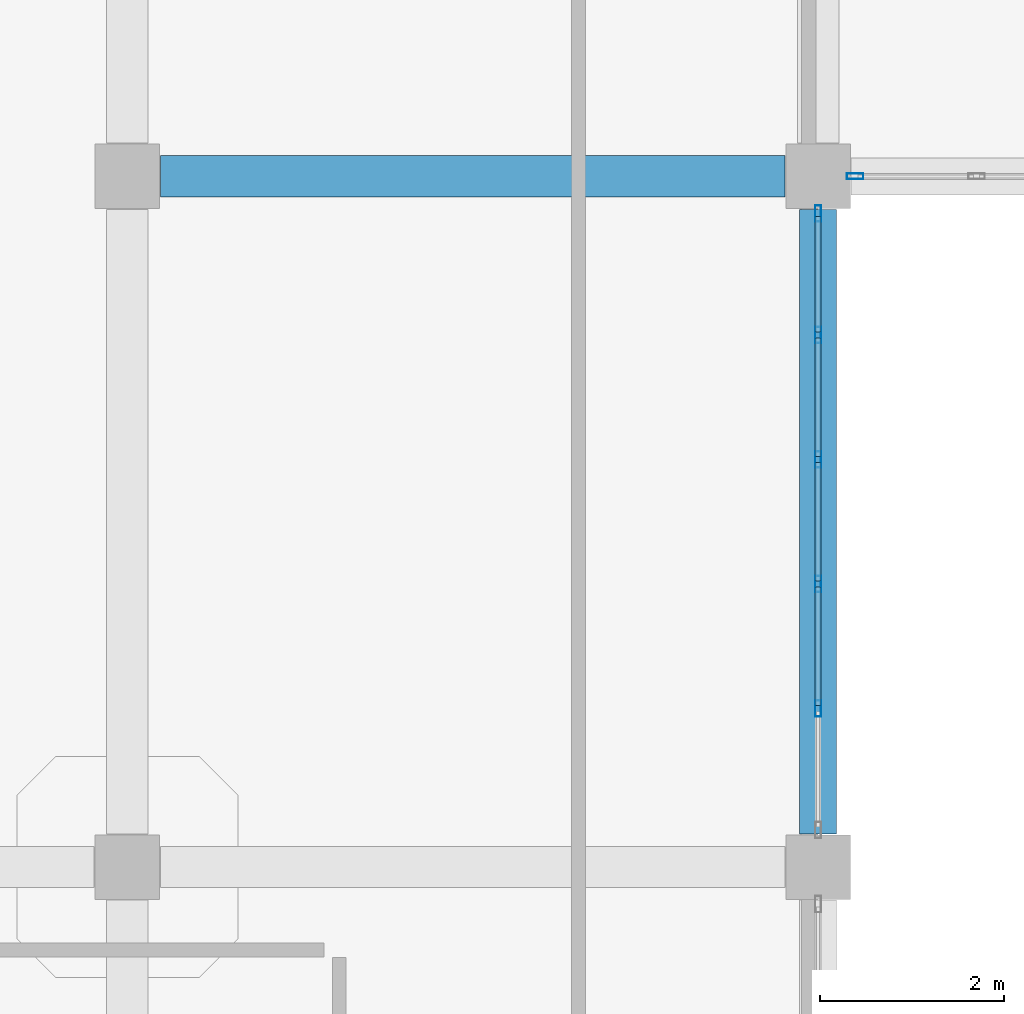
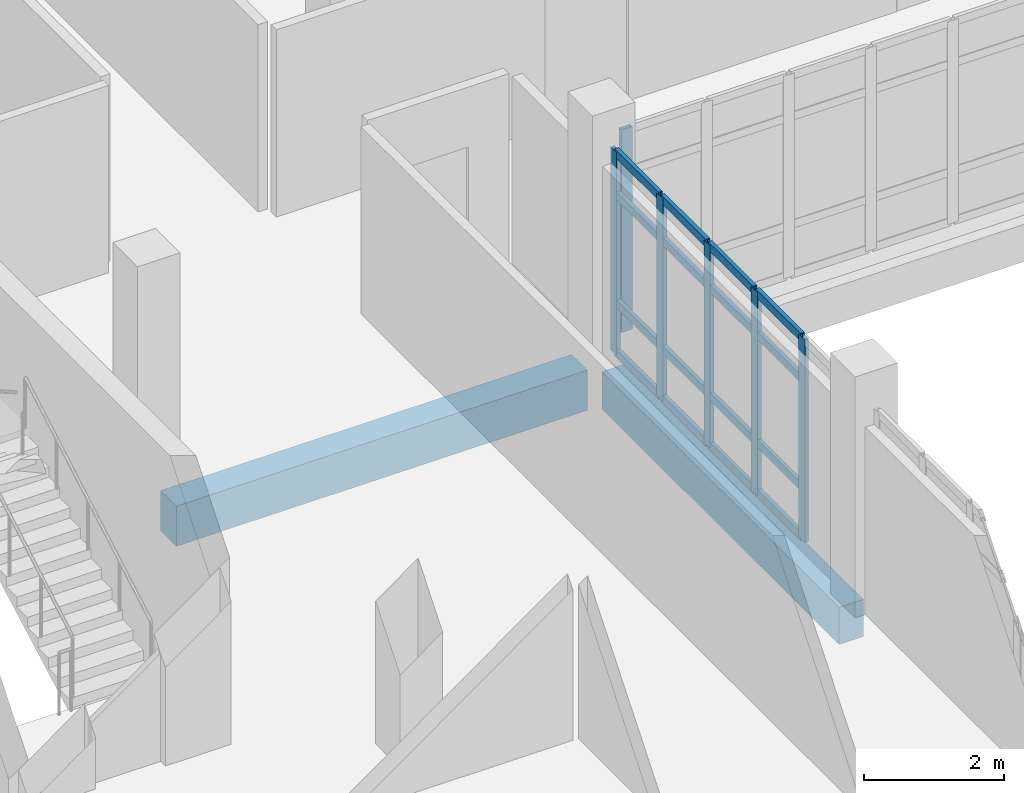
# One storey, part 25 of 164: 22 members, 2 beams, 2 elements without a shape of their own.
"""IFC4 building model written with IfcOpenShell, lengths in metres."""

from ifc_helpers import new_model, si_unit, direction, frame, origin, origin_2d, place, context, subcontext, project, spatial, rectangle, hollow_rectangle, extrude, material, layer, layer_set, material_profile, profile_set, type_object, element, aggregate, save


model = new_model("IFC4")

# Units and contexts
model_context = context("Model", 3, precision=1e-05, world=origin(), true_north=direction((0.0, 1.0)))
body_context = subcontext(model_context, "Body", "Model", "MODEL_VIEW")
ifc_project = project(units=[si_unit("LENGTHUNIT", "METRE"), si_unit("AREAUNIT", "SQUARE_METRE"), si_unit("VOLUMEUNIT", "CUBIC_METRE"), si_unit("PLANEANGLEUNIT", "RADIAN"), si_unit("MASSUNIT", "GRAM", prefix="KILO")], contexts=[model_context])

# Site, building, storey
site_placement = place(None, origin())
site = spatial("IfcSite", under=ifc_project, at=site_placement, CompositionType="ELEMENT")
building_placement = place(site_placement, origin())
building = spatial("IfcBuilding", under=site, at=building_placement, Name="Mawjan Specialist Oncology Clinic", CompositionType="ELEMENT")
storey_placement = place(building_placement, frame((0.0, 0.0, 5.0)))
storey = spatial("IfcBuildingStorey", under=building, at=storey_placement, Name="L01", CompositionType="ELEMENT", Elevation=5.0)

# Beam
ifc_material_1 = material(Name="Concrete C40/50", Category="concrete")
ifc_material_profile_1 = material_profile(ifc_material_1, rectangle(XDim=0.449951171875, YDim=0.699951171875, at=origin_2d()), Name="RC BM 450x700", Category="concrete")
ifc_profile_set_1 = profile_set([ifc_material_profile_1], Name="Concrete C40/50")
beam_type_1 = type_object("IfcBeamType", Name="BM-450x700", PredefinedType="BEAM", material=ifc_profile_set_1)
beam_1_placement = place(storey_placement, frame((7.860107421875, 30.800048828125, -0.64990234375), z_axis=(1.0, 0.0, 0.0), x_axis=(0.0, 1.0, 0.0)))
element("IfcBeam", 1, at=beam_1_placement, inside=storey, type_object=beam_type_1, Name="L01 Collector Beam BM-L01-0245", PredefinedType="BEAM", context=body_context, shape_type="SweptSolid", body=[
    extrude(rectangle(XDim=0.449951171875, YDim=0.699951171875, at=origin_2d()), origin(), (0.0, 0.0, 1.0), 6.77978515625),
])

# Curtain wall, member
ifc_material_2 = material(Name="Unitised spectrally selective aluminium curtain wall", Category="aluminium")
ifc_layer = layer(ifc_material_2, 0.179931640625, Name="Unitised spectrally selective aluminium curtain wall", Category="aluminium")
ifc_layer_set = layer_set([ifc_layer], Name="Unitised spectrally selective aluminium curtain wall")
curtain_wall_type = type_object("IfcCurtainWallType", Name="CW-73", PredefinedType="NOTDEFINED", material=ifc_layer_set)
curtain_wall_1_placement = place(storey_placement, origin())
curtain_wall_1 = element("IfcCurtainWall", 2, at=curtain_wall_1_placement, inside=storey, type_object=curtain_wall_type, Name="L01 Unitised Curtain Wall CW-L01-162", PredefinedType="NOTDEFINED")
ifc_material_3 = material(Name="Thermally broken aluminium 6063-T6", Category="aluminium")
ifc_material_profile_2 = material_profile(ifc_material_3, hollow_rectangle(XDim=0.06494140625, YDim=0.179931640625, WallThickness=0.00390625, at=origin_2d()), Name="ALU MULLION 180x65x4", Category="aluminium")
ifc_profile_set_2 = profile_set([ifc_material_profile_2], Name="Thermally broken aluminium 6063-T6")
member_type_1 = type_object("IfcMemberType", Name="CW-M180", PredefinedType="MULLION", material=ifc_profile_set_2)
member_1_placement = place(storey_placement, frame((15.402587890625, 30.800048828125, 0.0), z_axis=(0.0, 0.0, 1.0), x_axis=(0.0, -1.0, 0.0)))
member_1 = element("IfcMember", 3, at=member_1_placement, type_object=member_type_1, Name="CW-73 mullion 6", PredefinedType="MULLION", context=body_context, shape_type="SweptSolid", body=[
    extrude(hollow_rectangle(XDim=0.06494140625, YDim=0.179931640625, WallThickness=0.00390625, at=origin_2d()), origin(), (0.0, 0.0, 1.0), 3.534912109375),
])
aggregate(curtain_wall_1, [member_1])

# Curtain wall, members
curtain_wall_2_placement = place(storey_placement, origin())
curtain_wall_2 = element("IfcCurtainWall", 4, at=curtain_wall_2_placement, inside=storey, type_object=curtain_wall_type, Name="L01 Unitised Curtain Wall CW-L01-163", PredefinedType="NOTDEFINED")
member_2_placement = place(storey_placement, frame((15.0, 30.3974609375, 0.0), z_axis=(0.0, 0.0, 1.0), x_axis=(1.0, 0.0, 0.0)))
member_2 = element("IfcMember", 5, at=member_2_placement, type_object=member_type_1, Name="CW-73 mullion 1", PredefinedType="MULLION", context=body_context, shape_type="SweptSolid", body=[
    extrude(hollow_rectangle(XDim=0.06494140625, YDim=0.179931640625, WallThickness=0.00390625, at=origin_2d()), origin(), (0.0, 0.0, 1.0), 3.534912109375),
])
member_3_placement = place(storey_placement, frame((15.0, 29.077880859375, 0.0), z_axis=(0.0, 0.0, 1.0), x_axis=(1.0, 0.0, 0.0)))
member_3 = element("IfcMember", 6, at=member_3_placement, type_object=member_type_1, Name="CW-73 mullion 2", PredefinedType="MULLION", context=body_context, shape_type="SweptSolid", body=[
    extrude(hollow_rectangle(XDim=0.06494140625, YDim=0.179931640625, WallThickness=0.00390625, at=origin_2d()), origin(), (0.0, 0.0, 1.0), 3.534912109375),
])
member_4_placement = place(storey_placement, frame((15.0, 27.72607421875, 0.0), z_axis=(0.0, 0.0, 1.0), x_axis=(1.0, 0.0, 0.0)))
member_4 = element("IfcMember", 7, at=member_4_placement, type_object=member_type_1, Name="CW-73 mullion 3", PredefinedType="MULLION", context=body_context, shape_type="SweptSolid", body=[
    extrude(hollow_rectangle(XDim=0.06494140625, YDim=0.179931640625, WallThickness=0.00390625, at=origin_2d()), origin(), (0.0, 0.0, 1.0), 3.534912109375),
])
member_5_placement = place(storey_placement, frame((15.0, 26.3740234375, 0.0), z_axis=(0.0, 0.0, 1.0), x_axis=(1.0, 0.0, 0.0)))
member_5 = element("IfcMember", 8, at=member_5_placement, type_object=member_type_1, Name="CW-73 mullion 4", PredefinedType="MULLION", context=body_context, shape_type="SweptSolid", body=[
    extrude(hollow_rectangle(XDim=0.06494140625, YDim=0.179931640625, WallThickness=0.00390625, at=origin_2d()), origin(), (0.0, 0.0, 1.0), 3.534912109375),
])
member_6_placement = place(storey_placement, frame((15.0, 25.02197265625, 0.0), z_axis=(0.0, 0.0, 1.0), x_axis=(1.0, 0.0, 0.0)))
member_6 = element("IfcMember", 9, at=member_6_placement, type_object=member_type_1, Name="CW-73 mullion 5", PredefinedType="MULLION", context=body_context, shape_type="SweptSolid", body=[
    extrude(hollow_rectangle(XDim=0.06494140625, YDim=0.179931640625, WallThickness=0.00390625, at=origin_2d()), origin(), (0.0, 0.0, 1.0), 3.534912109375),
])
ifc_material_4 = material(Name="Thermally broken aluminium 6063-T6", Category="aluminium")
ifc_material_profile_3 = material_profile(ifc_material_4, hollow_rectangle(XDim=0.06494140625, YDim=0.139892578125, WallThickness=0.00390625, at=origin_2d()), Name="ALU TRANSOM 140x65x4", Category="aluminium")
ifc_profile_set_3 = profile_set([ifc_material_profile_3], Name="Thermally broken aluminium 6063-T6")
member_type_2 = type_object("IfcMemberType", Name="CW-T140", PredefinedType="USERDEFINED", material=ifc_profile_set_3)
member_7_placement = place(storey_placement, frame((15.0, 30.364990234375, 0.032470703125), z_axis=(0.0, -1.0, 0.0), x_axis=(1.0, 0.0, 0.0)))
member_7 = element("IfcMember", 10, at=member_7_placement, type_object=member_type_2, Name="CW-73 transom 1.1", ObjectType="TRANSOM", PredefinedType="USERDEFINED", context=body_context, shape_type="SweptSolid", body=[
    extrude(hollow_rectangle(XDim=0.06494140625, YDim=0.139892578125, WallThickness=0.00390625, at=origin_2d()), origin(), (0.0, 0.0, 1.0), 1.25439453125),
])
member_8_placement = place(storey_placement, frame((15.0, 30.364990234375, 0.89990234375), z_axis=(0.0, -1.0, 0.0), x_axis=(1.0, 0.0, 0.0)))
member_8 = element("IfcMember", 11, at=member_8_placement, type_object=member_type_2, Name="CW-73 transom 1.2", ObjectType="TRANSOM", PredefinedType="USERDEFINED", context=body_context, shape_type="SweptSolid", body=[
    extrude(hollow_rectangle(XDim=0.06494140625, YDim=0.139892578125, WallThickness=0.00390625, at=origin_2d()), origin(), (0.0, 0.0, 1.0), 1.25439453125),
])
member_9_placement = place(storey_placement, frame((15.0, 30.364990234375, 2.784912109375), z_axis=(0.0, -1.0, 0.0), x_axis=(1.0, 0.0, 0.0)))
member_9 = element("IfcMember", 12, at=member_9_placement, type_object=member_type_2, Name="CW-73 transom 1.3", ObjectType="TRANSOM", PredefinedType="USERDEFINED", context=body_context, shape_type="SweptSolid", body=[
    extrude(hollow_rectangle(XDim=0.06494140625, YDim=0.139892578125, WallThickness=0.00390625, at=origin_2d()), origin(), (0.0, 0.0, 1.0), 1.25439453125),
])
member_10_placement = place(storey_placement, frame((15.0, 30.364990234375, 3.50244140625), z_axis=(0.0, -1.0, 0.0), x_axis=(1.0, 0.0, 0.0)))
member_10 = element("IfcMember", 13, at=member_10_placement, type_object=member_type_2, Name="CW-73 transom 1.4", ObjectType="TRANSOM", PredefinedType="USERDEFINED", context=body_context, shape_type="SweptSolid", body=[
    extrude(hollow_rectangle(XDim=0.06494140625, YDim=0.139892578125, WallThickness=0.00390625, at=origin_2d()), origin(), (0.0, 0.0, 1.0), 1.25439453125),
])
member_11_placement = place(storey_placement, frame((15.0, 29.04541015625, 0.032470703125), z_axis=(0.0, -1.0, 0.0), x_axis=(1.0, 0.0, 0.0)))
member_11 = element("IfcMember", 14, at=member_11_placement, type_object=member_type_2, Name="CW-73 transom 2.1", ObjectType="TRANSOM", PredefinedType="USERDEFINED", context=body_context, shape_type="SweptSolid", body=[
    extrude(hollow_rectangle(XDim=0.06494140625, YDim=0.139892578125, WallThickness=0.00390625, at=origin_2d()), origin(), (0.0, 0.0, 1.0), 1.286865234375),
])
member_12_placement = place(storey_placement, frame((15.0, 29.04541015625, 0.89990234375), z_axis=(0.0, -1.0, 0.0), x_axis=(1.0, 0.0, 0.0)))
member_12 = element("IfcMember", 15, at=member_12_placement, type_object=member_type_2, Name="CW-73 transom 2.2", ObjectType="TRANSOM", PredefinedType="USERDEFINED", context=body_context, shape_type="SweptSolid", body=[
    extrude(hollow_rectangle(XDim=0.06494140625, YDim=0.139892578125, WallThickness=0.00390625, at=origin_2d()), origin(), (0.0, 0.0, 1.0), 1.286865234375),
])
member_13_placement = place(storey_placement, frame((15.0, 29.04541015625, 2.784912109375), z_axis=(0.0, -1.0, 0.0), x_axis=(1.0, 0.0, 0.0)))
member_13 = element("IfcMember", 16, at=member_13_placement, type_object=member_type_2, Name="CW-73 transom 2.3", ObjectType="TRANSOM", PredefinedType="USERDEFINED", context=body_context, shape_type="SweptSolid", body=[
    extrude(hollow_rectangle(XDim=0.06494140625, YDim=0.139892578125, WallThickness=0.00390625, at=origin_2d()), origin(), (0.0, 0.0, 1.0), 1.286865234375),
])
member_14_placement = place(storey_placement, frame((15.0, 29.04541015625, 3.50244140625), z_axis=(0.0, -1.0, 0.0), x_axis=(1.0, 0.0, 0.0)))
member_14 = element("IfcMember", 17, at=member_14_placement, type_object=member_type_2, Name="CW-73 transom 2.4", ObjectType="TRANSOM", PredefinedType="USERDEFINED", context=body_context, shape_type="SweptSolid", body=[
    extrude(hollow_rectangle(XDim=0.06494140625, YDim=0.139892578125, WallThickness=0.00390625, at=origin_2d()), origin(), (0.0, 0.0, 1.0), 1.286865234375),
])
member_15_placement = place(storey_placement, frame((15.0, 27.693603515625, 0.032470703125), z_axis=(0.0, -1.0, 0.0), x_axis=(1.0, 0.0, 0.0)))
member_15 = element("IfcMember", 18, at=member_15_placement, type_object=member_type_2, Name="CW-73 transom 3.1", ObjectType="TRANSOM", PredefinedType="USERDEFINED", context=body_context, shape_type="SweptSolid", body=[
    extrude(hollow_rectangle(XDim=0.06494140625, YDim=0.139892578125, WallThickness=0.00390625, at=origin_2d()), origin(), (0.0, 0.0, 1.0), 1.287109375),
])
member_16_placement = place(storey_placement, frame((15.0, 27.693603515625, 0.89990234375), z_axis=(0.0, -1.0, 0.0), x_axis=(1.0, 0.0, 0.0)))
member_16 = element("IfcMember", 19, at=member_16_placement, type_object=member_type_2, Name="CW-73 transom 3.2", ObjectType="TRANSOM", PredefinedType="USERDEFINED", context=body_context, shape_type="SweptSolid", body=[
    extrude(hollow_rectangle(XDim=0.06494140625, YDim=0.139892578125, WallThickness=0.00390625, at=origin_2d()), origin(), (0.0, 0.0, 1.0), 1.287109375),
])
member_17_placement = place(storey_placement, frame((15.0, 27.693603515625, 2.784912109375), z_axis=(0.0, -1.0, 0.0), x_axis=(1.0, 0.0, 0.0)))
member_17 = element("IfcMember", 20, at=member_17_placement, type_object=member_type_2, Name="CW-73 transom 3.3", ObjectType="TRANSOM", PredefinedType="USERDEFINED", context=body_context, shape_type="SweptSolid", body=[
    extrude(hollow_rectangle(XDim=0.06494140625, YDim=0.139892578125, WallThickness=0.00390625, at=origin_2d()), origin(), (0.0, 0.0, 1.0), 1.287109375),
])
member_18_placement = place(storey_placement, frame((15.0, 27.693603515625, 3.50244140625), z_axis=(0.0, -1.0, 0.0), x_axis=(1.0, 0.0, 0.0)))
member_18 = element("IfcMember", 21, at=member_18_placement, type_object=member_type_2, Name="CW-73 transom 3.4", ObjectType="TRANSOM", PredefinedType="USERDEFINED", context=body_context, shape_type="SweptSolid", body=[
    extrude(hollow_rectangle(XDim=0.06494140625, YDim=0.139892578125, WallThickness=0.00390625, at=origin_2d()), origin(), (0.0, 0.0, 1.0), 1.287109375),
])
member_19_placement = place(storey_placement, frame((15.0, 26.341552734375, 0.032470703125), z_axis=(0.0, -1.0, 0.0), x_axis=(1.0, 0.0, 0.0)))
member_19 = element("IfcMember", 22, at=member_19_placement, type_object=member_type_2, Name="CW-73 transom 4.1", ObjectType="TRANSOM", PredefinedType="USERDEFINED", context=body_context, shape_type="SweptSolid", body=[
    extrude(hollow_rectangle(XDim=0.06494140625, YDim=0.139892578125, WallThickness=0.00390625, at=origin_2d()), origin(), (0.0, 0.0, 1.0), 1.287109375),
])
member_20_placement = place(storey_placement, frame((15.0, 26.341552734375, 0.89990234375), z_axis=(0.0, -1.0, 0.0), x_axis=(1.0, 0.0, 0.0)))
member_20 = element("IfcMember", 23, at=member_20_placement, type_object=member_type_2, Name="CW-73 transom 4.2", ObjectType="TRANSOM", PredefinedType="USERDEFINED", context=body_context, shape_type="SweptSolid", body=[
    extrude(hollow_rectangle(XDim=0.06494140625, YDim=0.139892578125, WallThickness=0.00390625, at=origin_2d()), origin(), (0.0, 0.0, 1.0), 1.287109375),
])
member_21_placement = place(storey_placement, frame((15.0, 26.341552734375, 2.784912109375), z_axis=(0.0, -1.0, 0.0), x_axis=(1.0, 0.0, 0.0)))
member_21 = element("IfcMember", 24, at=member_21_placement, type_object=member_type_2, Name="CW-73 transom 4.3", ObjectType="TRANSOM", PredefinedType="USERDEFINED", context=body_context, shape_type="SweptSolid", body=[
    extrude(hollow_rectangle(XDim=0.06494140625, YDim=0.139892578125, WallThickness=0.00390625, at=origin_2d()), origin(), (0.0, 0.0, 1.0), 1.287109375),
])
member_22_placement = place(storey_placement, frame((15.0, 26.341552734375, 3.50244140625), z_axis=(0.0, -1.0, 0.0), x_axis=(1.0, 0.0, 0.0)))
member_22 = element("IfcMember", 25, at=member_22_placement, type_object=member_type_2, Name="CW-73 transom 4.4", ObjectType="TRANSOM", PredefinedType="USERDEFINED", context=body_context, shape_type="SweptSolid", body=[
    extrude(hollow_rectangle(XDim=0.06494140625, YDim=0.139892578125, WallThickness=0.00390625, at=origin_2d()), origin(), (0.0, 0.0, 1.0), 1.287109375),
])
aggregate(curtain_wall_2, [member_2, member_3, member_4, member_5, member_6, member_7, member_8, member_9, member_10, member_11, member_12, member_13, member_14, member_15, member_16, member_17, member_18, member_19, member_20, member_21, member_22])

# Beam
ifc_material_5 = material(Name="Concrete C45/55", Category="concrete")
ifc_material_profile_4 = material_profile(ifc_material_5, rectangle(XDim=0.39990234375, YDim=0.64990234375, at=origin_2d()), Name="RC BM 400x650", Category="concrete")
ifc_profile_set_4 = profile_set([ifc_material_profile_4], Name="Concrete C45/55")
beam_type_2 = type_object("IfcBeamType", Name="SP-400x650", PredefinedType="SPANDREL", material=ifc_profile_set_4)
beam_2_placement = place(storey_placement, frame((15.0, 23.659912109375, -0.625), z_axis=(0.0, 1.0, 0.0), x_axis=(-1.0, 0.0, 0.0)))
element("IfcBeam", 26, at=beam_2_placement, inside=storey, type_object=beam_type_2, Name="L01 Spandrel Beam BM-L01-0439", PredefinedType="SPANDREL", context=body_context, shape_type="SweptSolid", body=[
    extrude(rectangle(XDim=0.39990234375, YDim=0.64990234375, at=origin_2d()), origin(), (0.0, 0.0, 1.0), 6.780029296875),
])

save(model, "model.ifc")
